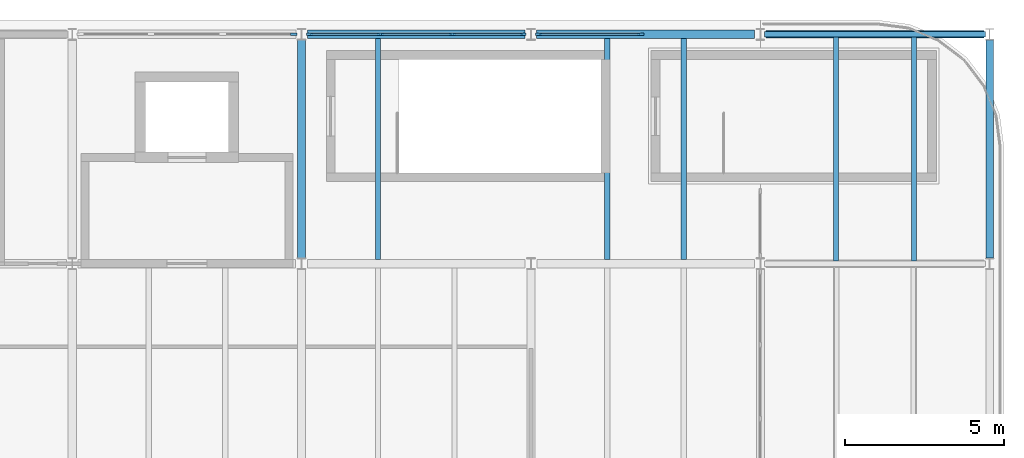
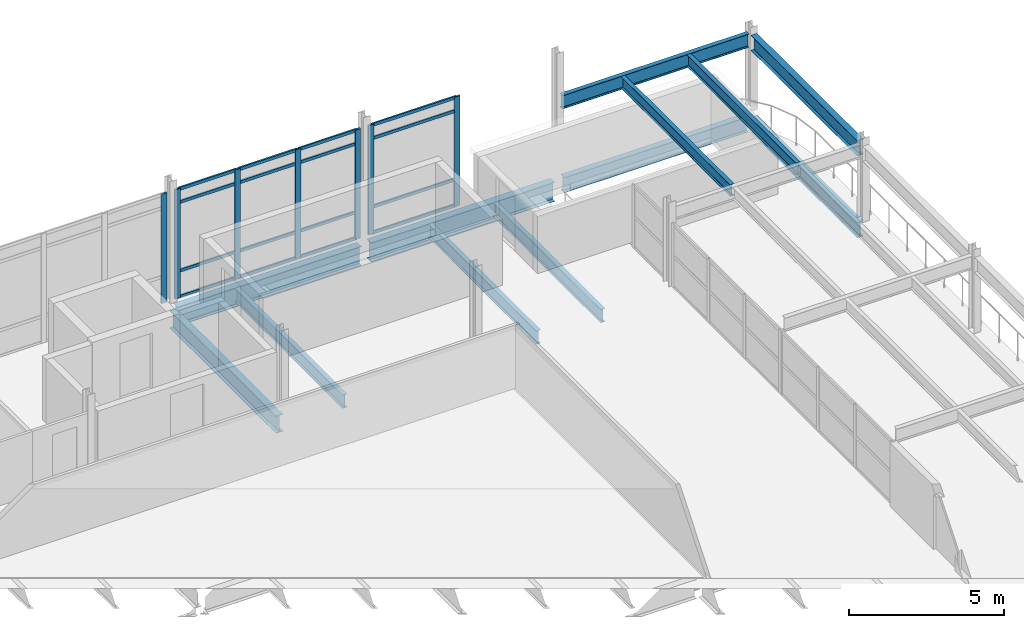
# One storey, part 17 of 25: 23 members, 12 beams, 3 elements without a shape of their own.
"""IFC4 building model written with IfcOpenShell, lengths in metres."""

from ifc_helpers import new_model, si_unit, direction, frame, origin, origin_2d, place, context, subcontext, project, spatial, rectangle, i_section, extrude, material, material_profile, profile_set, type_object, element, aggregate, save


model = new_model("IFC4")

# Units and contexts
model_context = context("Model", 3, precision=1e-05, world=origin(), true_north=direction((0.0, 1.0)))
body_context = subcontext(model_context, "Body", "Model", "MODEL_VIEW")
ifc_project = project(units=[si_unit("LENGTHUNIT", "METRE"), si_unit("AREAUNIT", "SQUARE_METRE"), si_unit("VOLUMEUNIT", "CUBIC_METRE"), si_unit("PLANEANGLEUNIT", "RADIAN"), si_unit("MASSUNIT", "GRAM", prefix="KILO")], contexts=[model_context])

# Site, building, storey
site_placement = place(None, origin())
site = spatial("IfcSite", under=ifc_project, at=site_placement, CompositionType="ELEMENT")
building_placement = place(site_placement, origin())
building = spatial("IfcBuilding", under=site, at=building_placement, Name="Vaelcorin Mobility Hub", CompositionType="ELEMENT")
storey_placement = place(building_placement, frame((0.0, 0.0, 21.0)))
storey = spatial("IfcBuildingStorey", under=building, at=storey_placement, Name="L05", CompositionType="ELEMENT", Elevation=21.0)

# Beams
ifc_material_1 = material(Name="Steel ASTM A992 Grade 50", Category="steel")
ifc_material_profile_1 = material_profile(ifc_material_1, i_section(OverallWidth=0.152099609375, OverallDepth=0.455078125, WebThickness=0.008056640625, FlangeThickness=0.01318359375, FilletRadius=0.012939453125, at=origin_2d()), Name="W18X40")
ifc_profile_set_1 = profile_set([ifc_material_profile_1], Name="Steel ASTM A992 Grade 50")
beam_type_1 = type_object("IfcBeamType", Name="BM-W18X40", PredefinedType="JOIST", material=ifc_profile_set_1)
for number, where, z_axis, x_axis, name in (
    (1, (120.02392578125, 112.881103515625, 2.77197265625), (0.0, 1.0, 0.0), (-1.0, 0.0, 0.0), "L05 Beam V3-PERG-J-E-05-1"),
    (2, (117.575927734375, 112.881103515625, 2.77197265625), (0.0, 1.0, 0.0), (-1.0, 0.0, 0.0), "L05 Beam V3-PERG-J-E-05-2"),
):
    element("IfcBeam", number, at=place(storey_placement, frame(where, z_axis=z_axis, x_axis=x_axis)), inside=storey, type_object=beam_type_1, Name=name, PredefinedType="JOIST", context=body_context, shape_type="SweptSolid", body=[
        extrude(i_section(OverallWidth=0.152099609375, OverallDepth=0.455078125, WebThickness=0.008056640625, FlangeThickness=0.01318359375, FilletRadius=0.012939453125, at=origin_2d()), origin(), (0.0, 0.0, 1.0), 7.037841796875),
    ])
ifc_material_profile_2 = material_profile(ifc_material_1, i_section(OverallWidth=0.166015625, OverallDepth=0.528076171875, WebThickness=0.009765625, FlangeThickness=0.013671875, FilletRadius=0.013916015625, at=origin_2d()), Name="W21X50")
ifc_profile_set_2 = profile_set([ifc_material_profile_2], Name="Steel ASTM A992 Grade 50")
beam_type_2 = type_object("IfcBeamType", Name="BM-W21X50", PredefinedType="JOIST", material=ifc_profile_set_2)
for number, where, z_axis, x_axis, name in (
    (3, (103.199951171875, 112.931884765625, -0.52392578125), (0.0, 1.0, 0.0), (-1.0, 0.0, 0.0), "L05 Beam V3-L05-J-09-05-1"),
    (4, (110.39990234375, 112.931884765625, -0.52392578125), (0.0, 1.0, 0.0), (-1.0, 0.0, 0.0), "L05 Beam V3-L05-J-10-05-1"),
    (5, (112.800048828125, 112.931884765625, -0.52392578125), (0.0, 1.0, 0.0), (-1.0, 0.0, 0.0), "L05 Beam V3-L05-J-10-05-2"),
):
    element("IfcBeam", number, at=place(storey_placement, frame(where, z_axis=z_axis, x_axis=x_axis)), inside=storey, type_object=beam_type_2, Name=name, PredefinedType="JOIST", context=body_context, shape_type="SweptSolid", body=[
        extrude(i_section(OverallWidth=0.166015625, OverallDepth=0.528076171875, WebThickness=0.009765625, FlangeThickness=0.013671875, FilletRadius=0.013916015625, at=origin_2d()), origin(), (0.0, 0.0, 1.0), 6.93603515625),
    ])
beam_1_placement = place(storey_placement, frame((115.325927734375, 120.0, 2.736083984375), z_axis=(1.0, 0.0, 0.0), x_axis=(0.0, 1.0, 0.0)))
element("IfcBeam", 6, at=beam_1_placement, inside=storey, type_object=beam_type_2, Name="L05 Beam V3-PERG-GX-12-05", PredefinedType="JOIST", context=body_context, shape_type="SweptSolid", body=[
    extrude(i_section(OverallWidth=0.166015625, OverallDepth=0.528076171875, WebThickness=0.009765625, FlangeThickness=0.013671875, FilletRadius=0.013916015625, at=origin_2d()), origin(), (0.0, 0.0, 1.0), 6.948974609375),
])
ifc_material_profile_3 = material_profile(ifc_material_1, i_section(OverallWidth=0.22802734375, OverallDepth=0.60205078125, WebThickness=0.010498046875, FlangeThickness=0.014892578125, FilletRadius=0.014892578125, at=origin_2d()), Name="W24X68")
ifc_profile_set_3 = profile_set([ifc_material_profile_3], Name="Steel ASTM A992 Grade 50")
beam_type_3 = type_object("IfcBeamType", Name="BM-W24X68", PredefinedType="SPANDREL", material=ifc_profile_set_3)
beam_2_placement = place(storey_placement, frame((115.382080078125, 120.0, -0.52099609375), z_axis=(1.0, 0.0, 0.0), x_axis=(0.0, 1.0, 0.0)))
element("IfcBeam", 7, at=beam_2_placement, inside=storey, type_object=beam_type_3, Name="L05 Beam V3E-L05-GX-06-01", PredefinedType="SPANDREL", context=body_context, shape_type="SweptSolid", body=[
    extrude(i_section(OverallWidth=0.22802734375, OverallDepth=0.60205078125, WebThickness=0.010498046875, FlangeThickness=0.014892578125, FilletRadius=0.014892578125, at=origin_2d()), origin(), (0.0, 0.0, 1.0), 6.8359375),
])
beam_3_placement = place(storey_placement, frame((122.39990234375, 112.97998046875, -0.52099609375), z_axis=(0.0, 1.0, 0.0), x_axis=(-1.0, 0.0, 0.0)))
element("IfcBeam", 8, at=beam_3_placement, inside=storey, type_object=beam_type_3, Name="L05 Beam V3E-L05-GY-02-05", PredefinedType="SPANDREL", context=body_context, shape_type="SweptSolid", body=[
    extrude(i_section(OverallWidth=0.22802734375, OverallDepth=0.60205078125, WebThickness=0.010498046875, FlangeThickness=0.014892578125, FilletRadius=0.014892578125, at=origin_2d()), origin(), (0.0, 0.0, 1.0), 6.843994140625),
])
beam_4_placement = place(storey_placement, frame((122.39990234375, 112.97607421875, 2.698974609375), z_axis=(0.0, 1.0, 0.0), x_axis=(-1.0, 0.0, 0.0)))
element("IfcBeam", 9, at=beam_4_placement, inside=storey, type_object=beam_type_3, Name="L05 Beam V3-PERG-GY-E-05", PredefinedType="SPANDREL", context=body_context, shape_type="SweptSolid", body=[
    extrude(i_section(OverallWidth=0.22802734375, OverallDepth=0.60205078125, WebThickness=0.010498046875, FlangeThickness=0.014892578125, FilletRadius=0.014892578125, at=origin_2d()), origin(), (0.0, 0.0, 1.0), 6.847900390625),
])
ifc_material_profile_4 = material_profile(ifc_material_1, i_section(OverallWidth=0.25390625, OverallDepth=0.68310546875, WebThickness=0.012451171875, FlangeThickness=0.018798828125, FilletRadius=0.01611328125, at=origin_2d()), Name="W27X94")
ifc_profile_set_4 = profile_set([ifc_material_profile_4], Name="Steel ASTM A992 Grade 50")
beam_type_4 = type_object("IfcBeamType", Name="BM-W27X94", PredefinedType="BEAM", material=ifc_profile_set_4)
beam_5_placement = place(storey_placement, frame((100.800048828125, 112.97998046875, -0.60205078125), z_axis=(0.0, 1.0, 0.0), x_axis=(-1.0, 0.0, 0.0)))
element("IfcBeam", 10, at=beam_5_placement, inside=storey, type_object=beam_type_4, Name="L05 Beam V3-L05-GY-09-05", PredefinedType="BEAM", context=body_context, shape_type="SweptSolid", body=[
    extrude(i_section(OverallWidth=0.25390625, OverallDepth=0.68310546875, WebThickness=0.012451171875, FlangeThickness=0.018798828125, FilletRadius=0.01611328125, at=origin_2d()), origin(), (0.0, 0.0, 1.0), 6.843994140625),
])
ifc_material_profile_5 = material_profile(ifc_material_1, i_section(OverallWidth=0.26708984375, OverallDepth=0.757080078125, WebThickness=0.013916015625, FlangeThickness=0.019287109375, FilletRadius=0.01708984375, at=origin_2d()), Name="W30X108")
ifc_profile_set_5 = profile_set([ifc_material_profile_5], Name="Steel ASTM A992 Grade 50")
beam_type_5 = type_object("IfcBeamType", Name="BM-W30X108", PredefinedType="BEAM", material=ifc_profile_set_5)
for number, where, z_axis, x_axis, name in (
    (11, (100.98193359375, 120.0, -0.637939453125), (1.0, 0.0, 0.0), (0.0, 1.0, 0.0), "L05 Beam V3-L05-GX-06-09"),
    (12, (108.181884765625, 120.0, -0.637939453125), (1.0, 0.0, 0.0), (0.0, 1.0, 0.0), "L05 Beam V3-L05-GX-06-10"),
):
    element("IfcBeam", number, at=place(storey_placement, frame(where, z_axis=z_axis, x_axis=x_axis)), inside=storey, type_object=beam_type_5, Name=name, PredefinedType="BEAM", context=body_context, shape_type="SweptSolid", body=[
        extrude(i_section(OverallWidth=0.26708984375, OverallDepth=0.757080078125, WebThickness=0.013916015625, FlangeThickness=0.019287109375, FilletRadius=0.01708984375, at=origin_2d()), origin(), (0.0, 0.0, 1.0), 6.836181640625),
    ])

# Curtain wall, member
ifc_material_2 = material(Name="Anodised aluminium 6063-T6", Category="aluminium")
curtain_wall_type = type_object("IfcCurtainWallType", Name="CW-SPT-B", PredefinedType="NOTDEFINED", material=ifc_material_2)
curtain_wall_1_placement = place(storey_placement, origin())
curtain_wall_1 = element("IfcCurtainWall", 13, at=curtain_wall_1_placement, inside=storey, type_object=curtain_wall_type, Name="L05 Curtain Wall CW-V3-N-08", PredefinedType="NOTDEFINED")
ifc_material_profile_6 = material_profile(ifc_material_2, rectangle(XDim=0.070068359375, YDim=0.199951171875, at=origin_2d()), Name="ALU-M70X200")
ifc_profile_set_6 = profile_set([ifc_material_profile_6], Name="Anodised aluminium 6063-T6")
member_type_1 = type_object("IfcMemberType", Name="CW-MULL-200", PredefinedType="MULLION", material=ifc_profile_set_6)
member_1_placement = place(storey_placement, frame((100.550048828125, 120.0, 0.0), z_axis=(0.0, 0.0, 1.0), x_axis=(0.0, 1.0, 0.0)))
member_1 = element("IfcMember", 14, at=member_1_placement, type_object=member_type_1, Name="CW6 mullion 4", PredefinedType="MULLION", context=body_context, shape_type="SweptSolid", body=[
    extrude(rectangle(XDim=0.070068359375, YDim=0.199951171875, at=origin_2d()), origin(), (0.0, 0.0, 1.0), 4.300048828125),
])
aggregate(curtain_wall_1, [member_1])

# Curtain wall, members
curtain_wall_2_placement = place(storey_placement, origin())
curtain_wall_2 = element("IfcCurtainWall", 15, at=curtain_wall_2_placement, inside=storey, type_object=curtain_wall_type, Name="L05 Curtain Wall CW-V3-N-09", PredefinedType="NOTDEFINED")
member_2_placement = place(storey_placement, frame((101.050048828125, 120.0, 0.0), z_axis=(0.0, 0.0, 1.0), x_axis=(0.0, 1.0, 0.0)))
member_2 = element("IfcMember", 16, at=member_2_placement, type_object=member_type_1, Name="CW6 mullion 1", PredefinedType="MULLION", context=body_context, shape_type="SweptSolid", body=[
    extrude(rectangle(XDim=0.070068359375, YDim=0.199951171875, at=origin_2d()), origin(), (0.0, 0.0, 1.0), 4.300048828125),
])
member_3_placement = place(storey_placement, frame((103.2734375, 120.0, 0.0), z_axis=(0.0, 0.0, 1.0), x_axis=(0.0, 1.0, 0.0)))
member_3 = element("IfcMember", 17, at=member_3_placement, type_object=member_type_1, Name="CW6 mullion 2", PredefinedType="MULLION", context=body_context, shape_type="SweptSolid", body=[
    extrude(rectangle(XDim=0.070068359375, YDim=0.199951171875, at=origin_2d()), origin(), (0.0, 0.0, 1.0), 4.300048828125),
])
member_4_placement = place(storey_placement, frame((105.526611328125, 120.0, 0.0), z_axis=(0.0, 0.0, 1.0), x_axis=(0.0, 1.0, 0.0)))
member_4 = element("IfcMember", 18, at=member_4_placement, type_object=member_type_1, Name="CW6 mullion 3", PredefinedType="MULLION", context=body_context, shape_type="SweptSolid", body=[
    extrude(rectangle(XDim=0.070068359375, YDim=0.199951171875, at=origin_2d()), origin(), (0.0, 0.0, 1.0), 4.300048828125),
])
member_5_placement = place(storey_placement, frame((107.75, 120.0, 0.0), z_axis=(0.0, 0.0, 1.0), x_axis=(0.0, 1.0, 0.0)))
member_5 = element("IfcMember", 19, at=member_5_placement, type_object=member_type_1, Name="CW6 mullion 4", PredefinedType="MULLION", context=body_context, shape_type="SweptSolid", body=[
    extrude(rectangle(XDim=0.070068359375, YDim=0.199951171875, at=origin_2d()), origin(), (0.0, 0.0, 1.0), 4.300048828125),
])

curtain_wall_3_placement = place(storey_placement, origin())
curtain_wall_3 = element("IfcCurtainWall", 20, at=curtain_wall_3_placement, inside=storey, type_object=curtain_wall_type, Name="L05 Curtain Wall CW-V3-N-10", PredefinedType="NOTDEFINED")
member_6_placement = place(storey_placement, frame((108.25, 120.0, 0.0), z_axis=(0.0, 0.0, 1.0), x_axis=(0.0, 1.0, 0.0)))
member_6 = element("IfcMember", 21, at=member_6_placement, type_object=member_type_1, Name="CW6 mullion 1", PredefinedType="MULLION", context=body_context, shape_type="SweptSolid", body=[
    extrude(rectangle(XDim=0.070068359375, YDim=0.199951171875, at=origin_2d()), origin(), (0.0, 0.0, 1.0), 4.300048828125),
])
member_7_placement = place(storey_placement, frame((111.449951171875, 120.0, 0.0), z_axis=(0.0, 0.0, 1.0), x_axis=(0.0, 1.0, 0.0)))
member_7 = element("IfcMember", 22, at=member_7_placement, type_object=member_type_1, Name="CW6 mullion 2", PredefinedType="MULLION", context=body_context, shape_type="SweptSolid", body=[
    extrude(rectangle(XDim=0.070068359375, YDim=0.199951171875, at=origin_2d()), origin(), (0.0, 0.0, 1.0), 4.300048828125),
])

# Member
ifc_material_profile_7 = material_profile(ifc_material_2, rectangle(XDim=0.06005859375, YDim=0.1201171875, at=origin_2d()), Name="ALU-T60X120")
ifc_profile_set_7 = profile_set([ifc_material_profile_7], Name="Anodised aluminium 6063-T6")
member_type_2 = type_object("IfcMemberType", Name="CW-TRAN-140", PredefinedType="USERDEFINED", material=ifc_profile_set_7)
member_8_placement = place(storey_placement, frame((101.080078125, 120.0, 0.030029296875), z_axis=(1.0, 0.0, 0.0), x_axis=(0.0, 1.0, 0.0)))
member_8 = element("IfcMember", 23, at=member_8_placement, type_object=member_type_2, Name="CW6 transom 1.1", ObjectType="TRANSOM", PredefinedType="USERDEFINED", context=body_context, shape_type="SweptSolid", body=[
    extrude(rectangle(XDim=0.06005859375, YDim=0.1201171875, at=origin_2d()), origin(), (0.0, 0.0, 1.0), 2.163330078125),
])

member_9_placement = place(storey_placement, frame((101.080078125, 120.0, 1.050048828125), z_axis=(1.0, 0.0, 0.0), x_axis=(0.0, 1.0, 0.0)))
member_9 = element("IfcMember", 24, at=member_9_placement, type_object=member_type_2, Name="CW6 transom 1.2", ObjectType="TRANSOM", PredefinedType="USERDEFINED", context=body_context, shape_type="SweptSolid", body=[
    extrude(rectangle(XDim=0.06005859375, YDim=0.1201171875, at=origin_2d()), origin(), (0.0, 0.0, 1.0), 2.163330078125),
])

member_10_placement = place(storey_placement, frame((101.080078125, 120.0, 3.75), z_axis=(1.0, 0.0, 0.0), x_axis=(0.0, 1.0, 0.0)))
member_10 = element("IfcMember", 25, at=member_10_placement, type_object=member_type_2, Name="CW6 transom 1.3", ObjectType="TRANSOM", PredefinedType="USERDEFINED", context=body_context, shape_type="SweptSolid", body=[
    extrude(rectangle(XDim=0.06005859375, YDim=0.1201171875, at=origin_2d()), origin(), (0.0, 0.0, 1.0), 2.163330078125),
])

member_11_placement = place(storey_placement, frame((101.080078125, 120.0, 4.27001953125), z_axis=(1.0, 0.0, 0.0), x_axis=(0.0, 1.0, 0.0)))
member_11 = element("IfcMember", 26, at=member_11_placement, type_object=member_type_2, Name="CW6 transom 1.4", ObjectType="TRANSOM", PredefinedType="USERDEFINED", context=body_context, shape_type="SweptSolid", body=[
    extrude(rectangle(XDim=0.06005859375, YDim=0.1201171875, at=origin_2d()), origin(), (0.0, 0.0, 1.0), 2.163330078125),
])

member_12_placement = place(storey_placement, frame((103.30322265625, 120.0, 0.030029296875), z_axis=(1.0, 0.0, 0.0), x_axis=(0.0, 1.0, 0.0)))
member_12 = element("IfcMember", 27, at=member_12_placement, type_object=member_type_2, Name="CW6 transom 2.1", ObjectType="TRANSOM", PredefinedType="USERDEFINED", context=body_context, shape_type="SweptSolid", body=[
    extrude(rectangle(XDim=0.06005859375, YDim=0.1201171875, at=origin_2d()), origin(), (0.0, 0.0, 1.0), 2.193359375),
])

member_13_placement = place(storey_placement, frame((103.30322265625, 120.0, 1.050048828125), z_axis=(1.0, 0.0, 0.0), x_axis=(0.0, 1.0, 0.0)))
member_13 = element("IfcMember", 28, at=member_13_placement, type_object=member_type_2, Name="CW6 transom 2.2", ObjectType="TRANSOM", PredefinedType="USERDEFINED", context=body_context, shape_type="SweptSolid", body=[
    extrude(rectangle(XDim=0.06005859375, YDim=0.1201171875, at=origin_2d()), origin(), (0.0, 0.0, 1.0), 2.193359375),
])

member_14_placement = place(storey_placement, frame((103.30322265625, 120.0, 3.75), z_axis=(1.0, 0.0, 0.0), x_axis=(0.0, 1.0, 0.0)))
member_14 = element("IfcMember", 29, at=member_14_placement, type_object=member_type_2, Name="CW6 transom 2.3", ObjectType="TRANSOM", PredefinedType="USERDEFINED", context=body_context, shape_type="SweptSolid", body=[
    extrude(rectangle(XDim=0.06005859375, YDim=0.1201171875, at=origin_2d()), origin(), (0.0, 0.0, 1.0), 2.193359375),
])

member_15_placement = place(storey_placement, frame((103.30322265625, 120.0, 4.27001953125), z_axis=(1.0, 0.0, 0.0), x_axis=(0.0, 1.0, 0.0)))
member_15 = element("IfcMember", 30, at=member_15_placement, type_object=member_type_2, Name="CW6 transom 2.4", ObjectType="TRANSOM", PredefinedType="USERDEFINED", context=body_context, shape_type="SweptSolid", body=[
    extrude(rectangle(XDim=0.06005859375, YDim=0.1201171875, at=origin_2d()), origin(), (0.0, 0.0, 1.0), 2.193359375),
])

member_16_placement = place(storey_placement, frame((105.556640625, 120.0, 0.030029296875), z_axis=(1.0, 0.0, 0.0), x_axis=(0.0, 1.0, 0.0)))
member_16 = element("IfcMember", 31, at=member_16_placement, type_object=member_type_2, Name="CW6 transom 3.1", ObjectType="TRANSOM", PredefinedType="USERDEFINED", context=body_context, shape_type="SweptSolid", body=[
    extrude(rectangle(XDim=0.06005859375, YDim=0.1201171875, at=origin_2d()), origin(), (0.0, 0.0, 1.0), 2.163330078125),
])

member_17_placement = place(storey_placement, frame((105.556640625, 120.0, 1.050048828125), z_axis=(1.0, 0.0, 0.0), x_axis=(0.0, 1.0, 0.0)))
member_17 = element("IfcMember", 32, at=member_17_placement, type_object=member_type_2, Name="CW6 transom 3.2", ObjectType="TRANSOM", PredefinedType="USERDEFINED", context=body_context, shape_type="SweptSolid", body=[
    extrude(rectangle(XDim=0.06005859375, YDim=0.1201171875, at=origin_2d()), origin(), (0.0, 0.0, 1.0), 2.163330078125),
])

member_18_placement = place(storey_placement, frame((105.556640625, 120.0, 3.75), z_axis=(1.0, 0.0, 0.0), x_axis=(0.0, 1.0, 0.0)))
member_18 = element("IfcMember", 33, at=member_18_placement, type_object=member_type_2, Name="CW6 transom 3.3", ObjectType="TRANSOM", PredefinedType="USERDEFINED", context=body_context, shape_type="SweptSolid", body=[
    extrude(rectangle(XDim=0.06005859375, YDim=0.1201171875, at=origin_2d()), origin(), (0.0, 0.0, 1.0), 2.163330078125),
])

member_19_placement = place(storey_placement, frame((105.556640625, 120.0, 4.27001953125), z_axis=(1.0, 0.0, 0.0), x_axis=(0.0, 1.0, 0.0)))
member_19 = element("IfcMember", 34, at=member_19_placement, type_object=member_type_2, Name="CW6 transom 3.4", ObjectType="TRANSOM", PredefinedType="USERDEFINED", context=body_context, shape_type="SweptSolid", body=[
    extrude(rectangle(XDim=0.06005859375, YDim=0.1201171875, at=origin_2d()), origin(), (0.0, 0.0, 1.0), 2.163330078125),
])

aggregate(curtain_wall_2, [member_2, member_3, member_4, member_5, member_8, member_9, member_10, member_11, member_12, member_13, member_14, member_15, member_16, member_17, member_18, member_19])

member_20_placement = place(storey_placement, frame((108.280029296875, 120.0, 0.030029296875), z_axis=(1.0, 0.0, 0.0), x_axis=(0.0, 1.0, 0.0)))
member_20 = element("IfcMember", 35, at=member_20_placement, type_object=member_type_2, Name="CW6 transom 1.1", ObjectType="TRANSOM", PredefinedType="USERDEFINED", context=body_context, shape_type="SweptSolid", body=[
    extrude(rectangle(XDim=0.06005859375, YDim=0.1201171875, at=origin_2d()), origin(), (0.0, 0.0, 1.0), 3.139892578125),
])

member_21_placement = place(storey_placement, frame((108.280029296875, 120.0, 1.050048828125), z_axis=(1.0, 0.0, 0.0), x_axis=(0.0, 1.0, 0.0)))
member_21 = element("IfcMember", 36, at=member_21_placement, type_object=member_type_2, Name="CW6 transom 1.2", ObjectType="TRANSOM", PredefinedType="USERDEFINED", context=body_context, shape_type="SweptSolid", body=[
    extrude(rectangle(XDim=0.06005859375, YDim=0.1201171875, at=origin_2d()), origin(), (0.0, 0.0, 1.0), 3.139892578125),
])

member_22_placement = place(storey_placement, frame((108.280029296875, 120.0, 3.75), z_axis=(1.0, 0.0, 0.0), x_axis=(0.0, 1.0, 0.0)))
member_22 = element("IfcMember", 37, at=member_22_placement, type_object=member_type_2, Name="CW6 transom 1.3", ObjectType="TRANSOM", PredefinedType="USERDEFINED", context=body_context, shape_type="SweptSolid", body=[
    extrude(rectangle(XDim=0.06005859375, YDim=0.1201171875, at=origin_2d()), origin(), (0.0, 0.0, 1.0), 3.139892578125),
])

member_23_placement = place(storey_placement, frame((108.280029296875, 120.0, 4.27001953125), z_axis=(1.0, 0.0, 0.0), x_axis=(0.0, 1.0, 0.0)))
member_23 = element("IfcMember", 38, at=member_23_placement, type_object=member_type_2, Name="CW6 transom 1.4", ObjectType="TRANSOM", PredefinedType="USERDEFINED", context=body_context, shape_type="SweptSolid", body=[
    extrude(rectangle(XDim=0.06005859375, YDim=0.1201171875, at=origin_2d()), origin(), (0.0, 0.0, 1.0), 3.139892578125),
])

aggregate(curtain_wall_3, [member_6, member_7, member_20, member_21, member_22, member_23])

save(model, "model.ifc")
